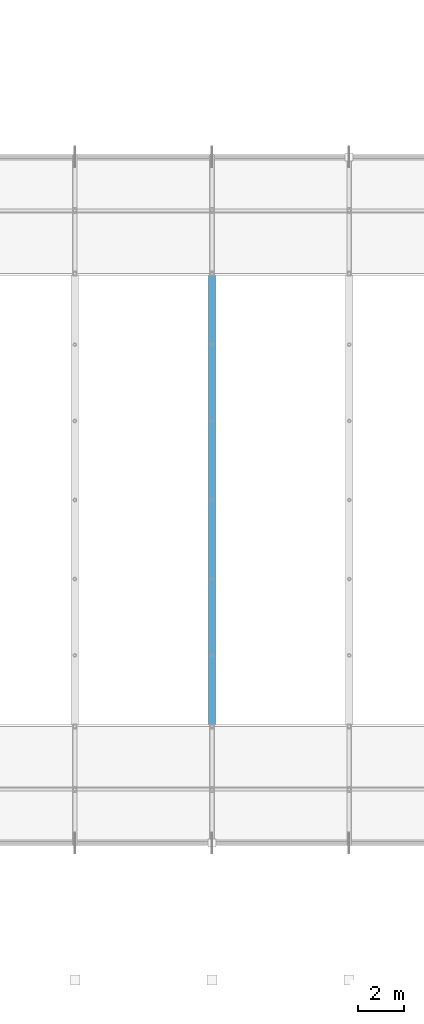
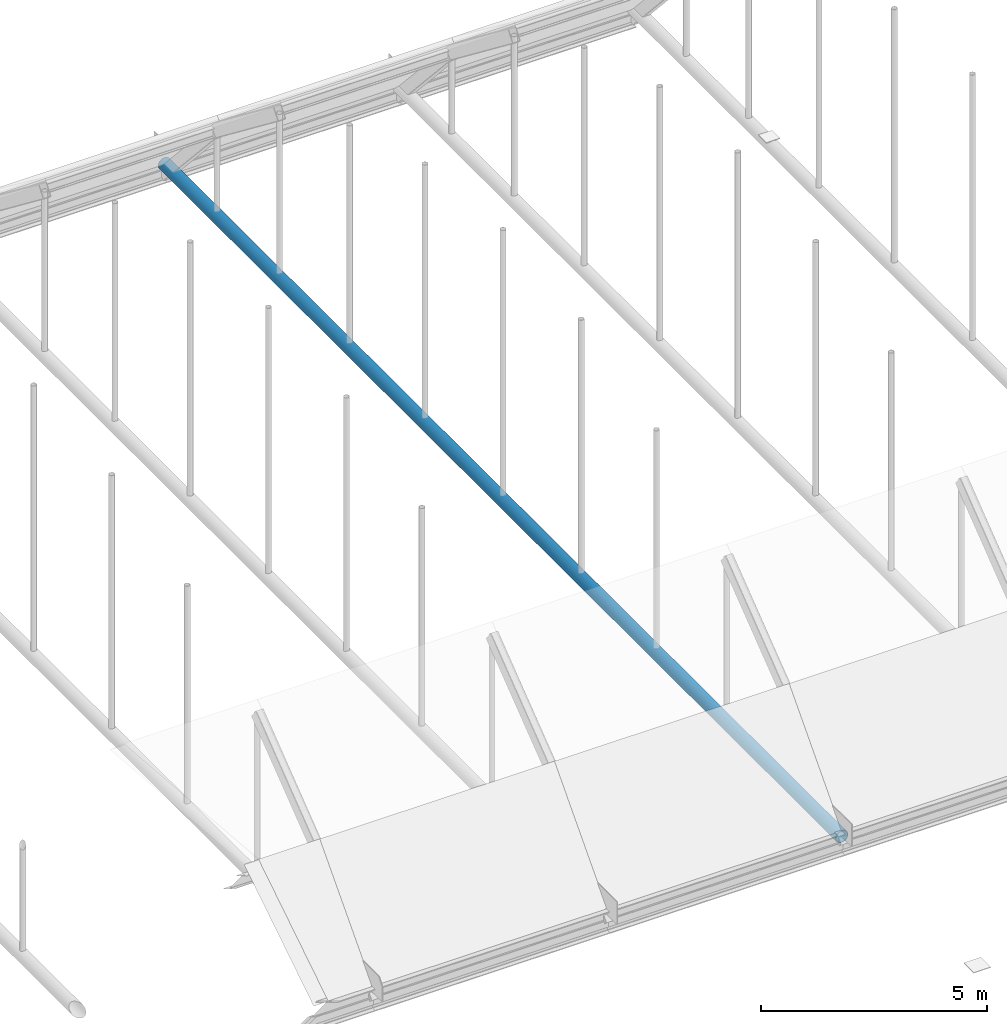
# One storey, part 50 of 116: 1 member.
"""IFC4 building model written with IfcOpenShell, lengths in metres."""

from ifc_helpers import new_model, si_unit, direction, frame, origin, origin_2d, place, context, subcontext, project, spatial, hollow_circle, extrude, material, material_profile, profile_set, type_object, element, save


model = new_model("IFC4")

# Units and contexts
model_context = context("Model", 3, precision=1e-05, world=origin(), true_north=direction((0.0, 1.0)))
body_context = subcontext(model_context, "Body", "Model", "MODEL_VIEW")
ifc_project = project(units=[si_unit("LENGTHUNIT", "METRE"), si_unit("AREAUNIT", "SQUARE_METRE"), si_unit("VOLUMEUNIT", "CUBIC_METRE"), si_unit("PLANEANGLEUNIT", "RADIAN"), si_unit("MASSUNIT", "GRAM", prefix="KILO")], contexts=[model_context])

# Site, building, storey
site_placement = place(None, origin())
site = spatial("IfcSite", under=ifc_project, at=site_placement, CompositionType="ELEMENT")
building_placement = place(site_placement, origin())
building = spatial("IfcBuilding", under=site, at=building_placement, Name="Varnakota Square Police Headquarters", CompositionType="ELEMENT")
storey_placement = place(building_placement, frame((0.0, 0.0, 9.300048828125)))
storey = spatial("IfcBuildingStorey", under=building, at=storey_placement, Name="L02", CompositionType="ELEMENT", Elevation=9.300048828125)

# Member
ifc_material = material(Name="Steel IS 2062 Grade 350", Category="steel")
ifc_material_profile = material_profile(ifc_material, hollow_circle(Radius=0.161865234375, WallThickness=0.0126953125, at=origin_2d()), Name="CHS 323.9x12.7")
ifc_profile_set = profile_set([ifc_material_profile], Name="Steel IS 2062 Grade 350")
member_type = type_object("IfcMemberType", Name="MEM-TIE-CHS273", PredefinedType="CHORD", material=ifc_profile_set)
member_placement = place(storey_placement, frame((84.0, 9.0, -0.150146484375), z_axis=(0.0, 1.0, 0.0), x_axis=(-1.0, 0.0, 0.0)))
element("IfcMember", 1, at=member_placement, inside=storey, type_object=member_type, Name="Barrel vault tie rod V1-R06", PredefinedType="CHORD", context=body_context, shape_type="SweptSolid", body=[
    extrude(hollow_circle(Radius=0.161865234375, WallThickness=0.0126953125, at=origin_2d()), origin(), (0.0, 0.0, 1.0), 30.0),
])

save(model, "model.ifc")
